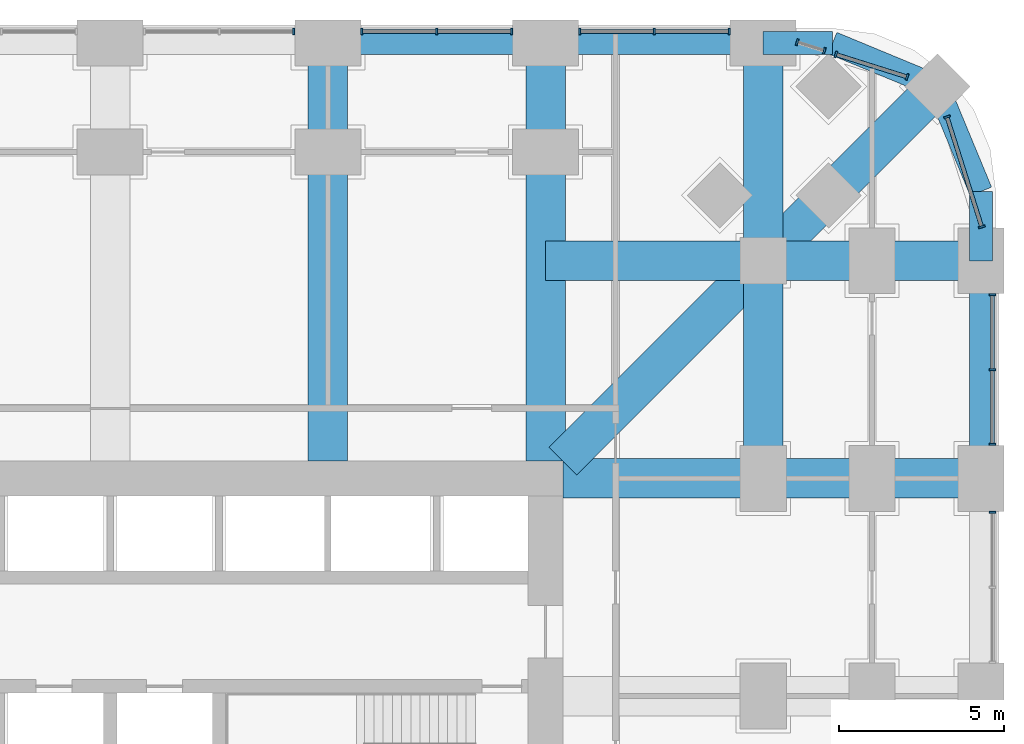
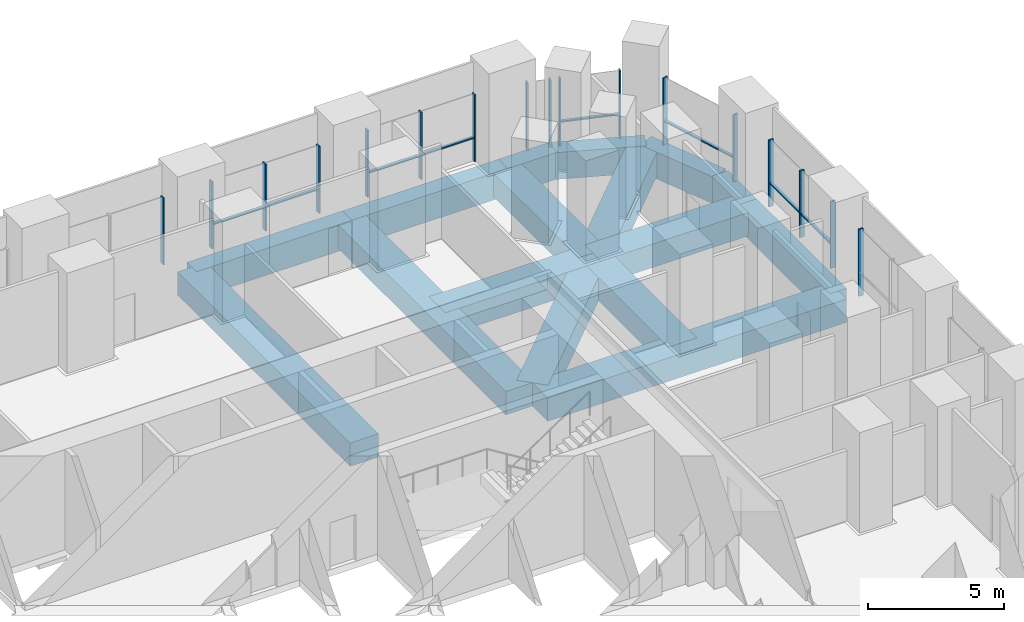
# One storey, part 6 of 17: 25 members, 16 beams, 8 elements without a shape of their own.
"""IFC4 building model written with IfcOpenShell, lengths in metres."""

from ifc_helpers import new_model, si_unit, direction, frame, origin, origin_2d, place, context, subcontext, project, spatial, rectangle, extrude, material, material_profile, profile_set, type_object, element, aggregate, save


model = new_model("IFC4")

# Units and contexts
model_context = context("Model", 3, precision=1e-05, world=origin(), true_north=direction((0.0, 1.0)))
body_context = subcontext(model_context, "Body", "Model", "MODEL_VIEW")
ifc_project = project(units=[si_unit("LENGTHUNIT", "METRE"), si_unit("AREAUNIT", "SQUARE_METRE"), si_unit("VOLUMEUNIT", "CUBIC_METRE"), si_unit("PLANEANGLEUNIT", "RADIAN"), si_unit("MASSUNIT", "GRAM", prefix="KILO")], contexts=[model_context])

# Site, building, storey
site_placement = place(None, origin())
site = spatial("IfcSite", under=ifc_project, at=site_placement, CompositionType="ELEMENT")
building_placement = place(site_placement, origin())
building = spatial("IfcBuilding", under=site, at=building_placement, Name="Cobogo Forest Laboratory Tower", CompositionType="ELEMENT")
storey_placement = place(building_placement, frame((0.0, 0.0, 12.60009765625)))
storey = spatial("IfcBuildingStorey", under=building, at=storey_placement, Name="L02", CompositionType="ELEMENT", Elevation=12.60009765625)

# Beams
ifc_material_1 = material(Name="Concrete HA-40 (C40/50)", Category="concrete")
ifc_material_profile_1 = material_profile(ifc_material_1, rectangle(XDim=1.199951171875, YDim=1.050048828125, at=origin_2d()), Name="RC 1200x1050")
ifc_profile_set_1 = profile_set([ifc_material_profile_1], Name="Concrete HA-40 (C40/50)")
beam_type_1 = type_object("IfcBeamType", Name="Laboratory floor wide beam 1200x1050", PredefinedType="BEAM", material=ifc_profile_set_1)
for number, where, z_axis, x_axis, name in (
    (1, (33.0, 33.52490234375, -0.8251953125), (0.0, 1.0, 0.0), (-1.0, 0.0, 0.0), "RB1 R-6-N L02"),
    (2, (39.60009765625, 33.52490234375, -0.8251953125), (0.0, 1.0, 0.0), (-1.0, 0.0, 0.0), "RB1 R-7-N L02"),
    (3, (40.125, 33.0, -0.8251953125), (1.0, 0.0, 0.0), (0.0, 1.0, 0.0), "RB1 R-F-E L02"),
):
    element("IfcBeam", number, at=place(storey_placement, frame(where, z_axis=z_axis, x_axis=x_axis)), inside=storey, type_object=beam_type_1, Name=name, PredefinedType="BEAM", context=body_context, shape_type="SweptSolid", body=[
        extrude(rectangle(XDim=1.199951171875, YDim=1.050048828125, at=origin_2d()), origin(), (0.0, 0.0, 1.0), 12.675048828125),
    ])
beam_1_placement = place(storey_placement, frame((46.199951171875, 46.199951171875, -0.8251953125), z_axis=(0.0, -1.0, 0.0), x_axis=(1.0, 0.0, 0.0)))
element("IfcBeam", 4, at=beam_1_placement, inside=storey, type_object=beam_type_1, Name="RB1 G-NE-XF L02", PredefinedType="BEAM", context=body_context, shape_type="SweptSolid", body=[
    extrude(rectangle(XDim=1.199951171875, YDim=1.050048828125, at=origin_2d()), origin(), (0.0, 0.0, 1.0), 6.599853515625),
])
for number, where, z_axis, x_axis, name in (
    (5, (46.199951171875, 39.60009765625, -0.8251953125), (0.0, -1.0, 0.0), (1.0, 0.0, 0.0), "RB1 G-NE-XC L02"),
    (6, (52.800048828125, 39.60009765625, -0.8251953125), (-1.0, 0.0, 0.0), (0.0, -1.0, 0.0), "RB1 G-NE-YF L02"),
):
    element("IfcBeam", number, at=place(storey_placement, frame(where, z_axis=z_axis, x_axis=x_axis)), inside=storey, type_object=beam_type_1, Name=name, PredefinedType="BEAM", context=body_context, shape_type="SweptSolid", body=[
        extrude(rectangle(XDim=1.199951171875, YDim=1.050048828125, at=origin_2d()), origin(), (0.0, 0.0, 1.0), 6.60009765625),
    ])
beam_2_placement = place(storey_placement, frame((46.199951171875, 39.60009765625, -0.8251953125), z_axis=(-1.0, 0.0, 0.0), x_axis=(0.0, -1.0, 0.0)))
element("IfcBeam", 7, at=beam_2_placement, inside=storey, type_object=beam_type_1, Name="RB1 G-NE-YC L02", PredefinedType="BEAM", context=body_context, shape_type="SweptSolid", body=[
    extrude(rectangle(XDim=1.199951171875, YDim=1.050048828125, at=origin_2d()), origin(), (0.0, 0.0, 1.0), 6.599853515625),
])
beam_3_placement = place(storey_placement, frame((51.48193359375, 44.882080078125, -0.8251953125), z_axis=(-0.707106781187, -0.707106781187, 0.0), x_axis=(0.707106781187, -0.707106781187, 0.0)))
element("IfcBeam", 8, at=beam_3_placement, inside=storey, type_object=beam_type_1, Name="RB1 G-NE-D1 L02", PredefinedType="BEAM", context=body_context, shape_type="SweptSolid", body=[
    extrude(rectangle(XDim=1.199951171875, YDim=1.050048828125, at=origin_2d()), origin(), (0.0, 0.0, 1.0), 7.469970703125),
])
beam_4_placement = place(storey_placement, frame((46.199951171875, 39.60009765625, -0.8251953125), z_axis=(-0.707092572697, -0.70712098939, 0.0), x_axis=(0.70712098939, -0.707092572697, 0.0)))
element("IfcBeam", 9, at=beam_4_placement, inside=storey, type_object=beam_type_1, Name="RB1 G-NE-D2 L02", PredefinedType="BEAM", context=body_context, shape_type="SweptSolid", body=[
    extrude(rectangle(XDim=1.199951171875, YDim=1.050048828125, at=origin_2d()), origin(), (0.0, 0.0, 1.0), 8.591552734375),
])

# Curtain wall, member
ifc_material_2 = material(Name="Aluminium curtain wall", Category="aluminium")
curtain_wall_type = type_object("IfcCurtainWallType", Name="CW-K stick curtain wall, podium laboratories", PredefinedType="USERDEFINED", material=ifc_material_2)
curtain_wall_1_placement = place(storey_placement, origin())
curtain_wall_1 = element("IfcCurtainWall", 10, at=curtain_wall_1_placement, inside=storey, type_object=curtain_wall_type, Name="Curtain wall 13 L02", ObjectType="STICK CURTAIN WALL", PredefinedType="USERDEFINED")
ifc_material_3 = material(Name="Aluminium mullion", Category="aluminium")
ifc_material_profile_2 = material_profile(ifc_material_3, rectangle(XDim=0.06005859375, YDim=0.199951171875, at=origin_2d()), Name="AL 60x200")
ifc_profile_set_2 = profile_set([ifc_material_profile_2], Name="Aluminium mullion")
member_type_1 = type_object("IfcMemberType", Name="MU-2 aluminium mullion 60x200", PredefinedType="MULLION", material=ifc_profile_set_2)
member_1_placement = place(storey_placement, frame((53.14990234375, 31.969970703125, 0.0), z_axis=(0.0, 0.0, 1.0), x_axis=(0.0, 1.0, 0.0)))
member_1 = element("IfcMember", 11, at=member_1_placement, type_object=member_type_1, Name="CW-K mullion 3", PredefinedType="MULLION", context=body_context, shape_type="SweptSolid", body=[
    extrude(rectangle(XDim=0.06005859375, YDim=0.199951171875, at=origin_2d()), origin(), (0.0, 0.0, 1.0), 3.0),
])
aggregate(curtain_wall_1, [member_1])

# Curtain wall, members
curtain_wall_2_placement = place(storey_placement, origin())
curtain_wall_2 = element("IfcCurtainWall", 12, at=curtain_wall_2_placement, inside=storey, type_object=curtain_wall_type, Name="Curtain wall 14 L02", ObjectType="STICK CURTAIN WALL", PredefinedType="USERDEFINED")
member_2_placement = place(storey_placement, frame((53.14990234375, 34.030029296875, 0.0), z_axis=(0.0, 0.0, 1.0), x_axis=(0.0, 1.0, 0.0)))
member_2 = element("IfcMember", 13, at=member_2_placement, type_object=member_type_1, Name="CW-K mullion 1", PredefinedType="MULLION", context=body_context, shape_type="SweptSolid", body=[
    extrude(rectangle(XDim=0.06005859375, YDim=0.199951171875, at=origin_2d()), origin(), (0.0, 0.0, 1.0), 3.0),
])
member_3_placement = place(storey_placement, frame((53.14990234375, 36.300048828125, 0.0), z_axis=(0.0, 0.0, 1.0), x_axis=(0.0, 1.0, 0.0)))
member_3 = element("IfcMember", 14, at=member_3_placement, type_object=member_type_1, Name="CW-K mullion 2", PredefinedType="MULLION", context=body_context, shape_type="SweptSolid", body=[
    extrude(rectangle(XDim=0.06005859375, YDim=0.199951171875, at=origin_2d()), origin(), (0.0, 0.0, 1.0), 3.0),
])
member_4_placement = place(storey_placement, frame((53.14990234375, 38.570068359375, 0.0), z_axis=(0.0, 0.0, 1.0), x_axis=(0.0, 1.0, 0.0)))
member_4 = element("IfcMember", 15, at=member_4_placement, type_object=member_type_1, Name="CW-K mullion 3", PredefinedType="MULLION", context=body_context, shape_type="SweptSolid", body=[
    extrude(rectangle(XDim=0.06005859375, YDim=0.199951171875, at=origin_2d()), origin(), (0.0, 0.0, 1.0), 3.0),
])

curtain_wall_3_placement = place(storey_placement, origin())
curtain_wall_3 = element("IfcCurtainWall", 16, at=curtain_wall_3_placement, inside=storey, type_object=curtain_wall_type, Name="Curtain wall 15 L02", ObjectType="STICK CURTAIN WALL", PredefinedType="USERDEFINED")
member_5_placement = place(storey_placement, frame((52.8251953125, 40.628662109375, 0.0), z_axis=(0.0, 0.0, 1.0), x_axis=(-0.301135433696, 0.953581381201, 0.0)))
member_5 = element("IfcMember", 17, at=member_5_placement, type_object=member_type_1, Name="CW-K mullion 1", PredefinedType="MULLION", context=body_context, shape_type="SweptSolid", body=[
    extrude(rectangle(XDim=0.06005859375, YDim=0.199951171875, at=origin_2d()), origin(), (0.0, 0.0, 1.0), 3.0),
])
member_6_placement = place(storey_placement, frame((51.772705078125, 43.961181640625, 0.0), z_axis=(0.0, 0.0, 1.0), x_axis=(-0.301135433696, 0.953581381201, 0.0)))
member_6 = element("IfcMember", 18, at=member_6_placement, type_object=member_type_1, Name="CW-K mullion 2", PredefinedType="MULLION", context=body_context, shape_type="SweptSolid", body=[
    extrude(rectangle(XDim=0.06005859375, YDim=0.199951171875, at=origin_2d()), origin(), (0.0, 0.0, 1.0), 3.0),
])

curtain_wall_4_placement = place(storey_placement, origin())
curtain_wall_4 = element("IfcCurtainWall", 19, at=curtain_wall_4_placement, inside=storey, type_object=curtain_wall_type, Name="Curtain wall 16 L02", ObjectType="STICK CURTAIN WALL", PredefinedType="USERDEFINED")
member_7_placement = place(storey_placement, frame((50.561279296875, 45.1728515625, 0.0), z_axis=(0.0, 0.0, 1.0), x_axis=(-0.953581409645, 0.301135343623, 0.0)))
member_7 = element("IfcMember", 20, at=member_7_placement, type_object=member_type_1, Name="CW-K mullion 1", PredefinedType="MULLION", context=body_context, shape_type="SweptSolid", body=[
    extrude(rectangle(XDim=0.06005859375, YDim=0.199951171875, at=origin_2d()), origin(), (0.0, 0.0, 1.0), 3.0),
])
member_8_placement = place(storey_placement, frame((48.403076171875, 45.854248046875, 0.0), z_axis=(0.0, 0.0, 1.0), x_axis=(-0.953581409645, 0.301135343623, 0.0)))
member_8 = element("IfcMember", 21, at=member_8_placement, type_object=member_type_1, Name="CW-K mullion 2", PredefinedType="MULLION", context=body_context, shape_type="SweptSolid", body=[
    extrude(rectangle(XDim=0.06005859375, YDim=0.199951171875, at=origin_2d()), origin(), (0.0, 0.0, 1.0), 3.0),
])

curtain_wall_5_placement = place(storey_placement, origin())
curtain_wall_5 = element("IfcCurtainWall", 22, at=curtain_wall_5_placement, inside=storey, type_object=curtain_wall_type, Name="Curtain wall 17 L02", ObjectType="STICK CURTAIN WALL", PredefinedType="USERDEFINED")
member_9_placement = place(storey_placement, frame((48.05322265625, 45.96484375, 0.0), z_axis=(0.0, 0.0, 1.0), x_axis=(-0.953581406818, 0.301135352577, 0.0)))
member_9 = element("IfcMember", 23, at=member_9_placement, type_object=member_type_1, Name="CW-K mullion 1", PredefinedType="MULLION", context=body_context, shape_type="SweptSolid", body=[
    extrude(rectangle(XDim=0.06005859375, YDim=0.199951171875, at=origin_2d()), origin(), (0.0, 0.0, 1.0), 3.0),
])
member_10_placement = place(storey_placement, frame((47.228515625, 46.22509765625, 0.0), z_axis=(0.0, 0.0, 1.0), x_axis=(-0.953581406818, 0.301135352577, 0.0)))
member_10 = element("IfcMember", 24, at=member_10_placement, type_object=member_type_1, Name="CW-K mullion 2", PredefinedType="MULLION", context=body_context, shape_type="SweptSolid", body=[
    extrude(rectangle(XDim=0.06005859375, YDim=0.199951171875, at=origin_2d()), origin(), (0.0, 0.0, 1.0), 3.0),
])
aggregate(curtain_wall_5, [member_9, member_10])

curtain_wall_6_placement = place(storey_placement, origin())
curtain_wall_6 = element("IfcCurtainWall", 25, at=curtain_wall_6_placement, inside=storey, type_object=curtain_wall_type, Name="Curtain wall 18 L02", ObjectType="STICK CURTAIN WALL", PredefinedType="USERDEFINED")
member_11_placement = place(storey_placement, frame((45.169921875, 46.550048828125, 0.0), z_axis=(0.0, 0.0, 1.0), x_axis=(-1.0, 0.0, 0.0)))
member_11 = element("IfcMember", 26, at=member_11_placement, type_object=member_type_1, Name="CW-K mullion 1", PredefinedType="MULLION", context=body_context, shape_type="SweptSolid", body=[
    extrude(rectangle(XDim=0.06005859375, YDim=0.199951171875, at=origin_2d()), origin(), (0.0, 0.0, 1.0), 3.0),
])
member_12_placement = place(storey_placement, frame((42.89990234375, 46.550048828125, 0.0), z_axis=(0.0, 0.0, 1.0), x_axis=(-1.0, 0.0, 0.0)))
member_12 = element("IfcMember", 27, at=member_12_placement, type_object=member_type_1, Name="CW-K mullion 2", PredefinedType="MULLION", context=body_context, shape_type="SweptSolid", body=[
    extrude(rectangle(XDim=0.06005859375, YDim=0.199951171875, at=origin_2d()), origin(), (0.0, 0.0, 1.0), 3.0),
])
member_13_placement = place(storey_placement, frame((40.6298828125, 46.550048828125, 0.0), z_axis=(0.0, 0.0, 1.0), x_axis=(-1.0, 0.0, 0.0)))
member_13 = element("IfcMember", 28, at=member_13_placement, type_object=member_type_1, Name="CW-K mullion 3", PredefinedType="MULLION", context=body_context, shape_type="SweptSolid", body=[
    extrude(rectangle(XDim=0.06005859375, YDim=0.199951171875, at=origin_2d()), origin(), (0.0, 0.0, 1.0), 3.0),
])

curtain_wall_7_placement = place(storey_placement, origin())
curtain_wall_7 = element("IfcCurtainWall", 29, at=curtain_wall_7_placement, inside=storey, type_object=curtain_wall_type, Name="Curtain wall 19 L02", ObjectType="STICK CURTAIN WALL", PredefinedType="USERDEFINED")
member_14_placement = place(storey_placement, frame((38.570068359375, 46.550048828125, 0.0), z_axis=(0.0, 0.0, 1.0), x_axis=(-1.0, 0.0, 0.0)))
member_14 = element("IfcMember", 30, at=member_14_placement, type_object=member_type_1, Name="CW-K mullion 1", PredefinedType="MULLION", context=body_context, shape_type="SweptSolid", body=[
    extrude(rectangle(XDim=0.06005859375, YDim=0.199951171875, at=origin_2d()), origin(), (0.0, 0.0, 1.0), 3.0),
])
member_15_placement = place(storey_placement, frame((36.300048828125, 46.550048828125, 0.0), z_axis=(0.0, 0.0, 1.0), x_axis=(-1.0, 0.0, 0.0)))
member_15 = element("IfcMember", 31, at=member_15_placement, type_object=member_type_1, Name="CW-K mullion 2", PredefinedType="MULLION", context=body_context, shape_type="SweptSolid", body=[
    extrude(rectangle(XDim=0.06005859375, YDim=0.199951171875, at=origin_2d()), origin(), (0.0, 0.0, 1.0), 3.0),
])
member_16_placement = place(storey_placement, frame((34.030029296875, 46.550048828125, 0.0), z_axis=(0.0, 0.0, 1.0), x_axis=(-1.0, 0.0, 0.0)))
member_16 = element("IfcMember", 32, at=member_16_placement, type_object=member_type_1, Name="CW-K mullion 3", PredefinedType="MULLION", context=body_context, shape_type="SweptSolid", body=[
    extrude(rectangle(XDim=0.06005859375, YDim=0.199951171875, at=origin_2d()), origin(), (0.0, 0.0, 1.0), 3.0),
])

# Curtain wall, member
curtain_wall_8_placement = place(storey_placement, origin())
curtain_wall_8 = element("IfcCurtainWall", 33, at=curtain_wall_8_placement, inside=storey, type_object=curtain_wall_type, Name="Curtain wall 20 L02", ObjectType="STICK CURTAIN WALL", PredefinedType="USERDEFINED")
member_17_placement = place(storey_placement, frame((31.969970703125, 46.550048828125, 0.0), z_axis=(0.0, 0.0, 1.0), x_axis=(-1.0, 0.0, 0.0)))
member_17 = element("IfcMember", 34, at=member_17_placement, type_object=member_type_1, Name="CW-K mullion 1", PredefinedType="MULLION", context=body_context, shape_type="SweptSolid", body=[
    extrude(rectangle(XDim=0.06005859375, YDim=0.199951171875, at=origin_2d()), origin(), (0.0, 0.0, 1.0), 3.0),
])
aggregate(curtain_wall_8, [member_17])

# Beams
ifc_material_profile_3 = material_profile(ifc_material_1, rectangle(XDim=0.699951171875, YDim=1.199951171875, at=origin_2d()), Name="RC 700x1200")
ifc_profile_set_3 = profile_set([ifc_material_profile_3], Name="Concrete HA-40 (C40/50)")
beam_type_2 = type_object("IfcBeamType", Name="Perimeter edge beam 700x1200", PredefinedType="BEAM", material=ifc_profile_set_3)
for number, where, z_axis, x_axis, name in (
    (35, (52.800048828125, 33.0, -0.900146484375), (0.0, 1.0, 0.0), (-1.0, 0.0, 0.0), "EB1 E-E5 L02"),
    (36, (33.0, 46.199951171875, -0.900146484375), (1.0, 0.0, 0.0), (0.0, 1.0, 0.0), "EB1 E-N5 L02"),
):
    element("IfcBeam", number, at=place(storey_placement, frame(where, z_axis=z_axis, x_axis=x_axis)), inside=storey, type_object=beam_type_2, Name=name, PredefinedType="BEAM", context=body_context, shape_type="SweptSolid", body=[
        extrude(rectangle(XDim=0.699951171875, YDim=1.199951171875, at=origin_2d()), origin(), (0.0, 0.0, 1.0), 6.60009765625),
    ])
beam_5_placement = place(storey_placement, frame((39.60009765625, 46.199951171875, -0.900146484375), z_axis=(1.0, 0.0, 0.0), x_axis=(0.0, 1.0, 0.0)))
element("IfcBeam", 37, at=beam_5_placement, inside=storey, type_object=beam_type_2, Name="EB1 E-N6 L02", PredefinedType="BEAM", context=body_context, shape_type="SweptSolid", body=[
    extrude(rectangle(XDim=0.699951171875, YDim=1.199951171875, at=origin_2d()), origin(), (0.0, 0.0, 1.0), 6.599853515625),
])
beam_6_placement = place(storey_placement, frame((52.800048828125, 39.60009765625, -0.900146484375), z_axis=(0.0, 1.0, 0.0), x_axis=(-1.0, 0.0, 0.0)))
element("IfcBeam", 38, at=beam_6_placement, inside=storey, type_object=beam_type_2, Name="EB1 E-NEE1 L02", PredefinedType="BEAM", context=body_context, shape_type="SweptSolid", body=[
    extrude(rectangle(XDim=0.699951171875, YDim=1.199951171875, at=origin_2d()), origin(), (0.0, 0.0, 1.0), 2.099853515625),
])
beam_7_placement = place(storey_placement, frame((52.800048828125, 41.699951171875, -0.900146484375), z_axis=(-0.382691928466, 0.923876013265, 0.0), x_axis=(-0.923876013265, -0.382691928466, 0.0)))
element("IfcBeam", 39, at=beam_7_placement, inside=storey, type_object=beam_type_2, Name="EB1 E-NEE2 L02", PredefinedType="BEAM", context=body_context, shape_type="SweptSolid", body=[
    extrude(rectangle(XDim=0.699951171875, YDim=1.199951171875, at=origin_2d()), origin(), (0.0, 0.0, 1.0), 3.4443359375),
])
beam_8_placement = place(storey_placement, frame((46.199951171875, 46.199951171875, -0.900146484375), z_axis=(1.0, 0.0, 0.0), x_axis=(0.0, 1.0, 0.0)))
element("IfcBeam", 40, at=beam_8_placement, inside=storey, type_object=beam_type_2, Name="EB1 E-NEN1 L02", PredefinedType="BEAM", context=body_context, shape_type="SweptSolid", body=[
    extrude(rectangle(XDim=0.699951171875, YDim=1.199951171875, at=origin_2d()), origin(), (0.0, 0.0, 1.0), 2.10009765625),
])
beam_9_placement = place(storey_placement, frame((48.300048828125, 46.199951171875, -0.900146484375), z_axis=(0.923890694089, -0.382656484822, 0.0), x_axis=(0.382656484822, 0.923890694089, 0.0)))
element("IfcBeam", 41, at=beam_9_placement, inside=storey, type_object=beam_type_2, Name="EB1 E-NEN2 L02", PredefinedType="BEAM", context=body_context, shape_type="SweptSolid", body=[
    extrude(rectangle(XDim=0.699951171875, YDim=1.199951171875, at=origin_2d()), origin(), (0.0, 0.0, 1.0), 3.444091796875),
])

# Member
ifc_material_4 = material(Name="Aluminium transom", Category="aluminium")
ifc_material_profile_4 = material_profile(ifc_material_4, rectangle(XDim=0.1201171875, YDim=0.06005859375, at=origin_2d()), Name="AL 60x120")
ifc_profile_set_4 = profile_set([ifc_material_profile_4], Name="Aluminium transom")
member_type_2 = type_object("IfcMemberType", Name="TR-1 aluminium transom 60x120", PredefinedType="USERDEFINED", material=ifc_profile_set_4)
member_18_placement = place(storey_placement, frame((53.14990234375, 34.06005859375, 1.0498046875), z_axis=(0.0, 1.0, 0.0), x_axis=(-1.0, 0.0, 0.0)))
member_18 = element("IfcMember", 42, at=member_18_placement, type_object=member_type_2, Name="CW-K transom 1.1", ObjectType="TRANSOM", PredefinedType="USERDEFINED", context=body_context, shape_type="SweptSolid", body=[
    extrude(rectangle(XDim=0.1201171875, YDim=0.06005859375, at=origin_2d()), origin(), (0.0, 0.0, 1.0), 2.2099609375),
])

member_19_placement = place(storey_placement, frame((53.14990234375, 36.330078125, 1.0498046875), z_axis=(0.0, 1.0, 0.0), x_axis=(-1.0, 0.0, 0.0)))
member_19 = element("IfcMember", 43, at=member_19_placement, type_object=member_type_2, Name="CW-K transom 2.1", ObjectType="TRANSOM", PredefinedType="USERDEFINED", context=body_context, shape_type="SweptSolid", body=[
    extrude(rectangle(XDim=0.1201171875, YDim=0.06005859375, at=origin_2d()), origin(), (0.0, 0.0, 1.0), 2.2099609375),
])

aggregate(curtain_wall_2, [member_2, member_3, member_4, member_18, member_19])

member_20_placement = place(storey_placement, frame((52.816162109375, 40.6572265625, 1.0498046875), z_axis=(-0.301155179686, 0.953575145308, 0.0), x_axis=(-0.953575145308, -0.301155179686, 0.0)))
member_20 = element("IfcMember", 44, at=member_20_placement, type_object=member_type_2, Name="CW-K transom 1.1", ObjectType="TRANSOM", PredefinedType="USERDEFINED", context=body_context, shape_type="SweptSolid", body=[
    extrude(rectangle(XDim=0.1201171875, YDim=0.06005859375, at=origin_2d()), origin(), (0.0, 0.0, 1.0), 3.434814453125),
])

aggregate(curtain_wall_3, [member_5, member_6, member_20])

member_21_placement = place(storey_placement, frame((50.53271484375, 45.181884765625, 1.0498046875), z_axis=(-0.953604433273, 0.301062426819, 0.0), x_axis=(-0.301062426819, -0.953604433273, 0.0)))
member_21 = element("IfcMember", 45, at=member_21_placement, type_object=member_type_2, Name="CW-K transom 1.1", ObjectType="TRANSOM", PredefinedType="USERDEFINED", context=body_context, shape_type="SweptSolid", body=[
    extrude(rectangle(XDim=0.1201171875, YDim=0.06005859375, at=origin_2d()), origin(), (0.0, 0.0, 1.0), 2.203369140625),
])

aggregate(curtain_wall_4, [member_7, member_8, member_21])

member_22_placement = place(storey_placement, frame((45.139892578125, 46.550048828125, 1.0498046875), z_axis=(-1.0, 0.0, 0.0), x_axis=(0.0, -1.0, 0.0)))
member_22 = element("IfcMember", 46, at=member_22_placement, type_object=member_type_2, Name="CW-K transom 1.1", ObjectType="TRANSOM", PredefinedType="USERDEFINED", context=body_context, shape_type="SweptSolid", body=[
    extrude(rectangle(XDim=0.1201171875, YDim=0.06005859375, at=origin_2d()), origin(), (0.0, 0.0, 1.0), 2.2099609375),
])

member_23_placement = place(storey_placement, frame((42.8701171875, 46.550048828125, 1.0498046875), z_axis=(-1.0, 0.0, 0.0), x_axis=(0.0, -1.0, 0.0)))
member_23 = element("IfcMember", 47, at=member_23_placement, type_object=member_type_2, Name="CW-K transom 2.1", ObjectType="TRANSOM", PredefinedType="USERDEFINED", context=body_context, shape_type="SweptSolid", body=[
    extrude(rectangle(XDim=0.1201171875, YDim=0.06005859375, at=origin_2d()), origin(), (0.0, 0.0, 1.0), 2.210205078125),
])

aggregate(curtain_wall_6, [member_11, member_12, member_13, member_22, member_23])

member_24_placement = place(storey_placement, frame((38.5400390625, 46.550048828125, 1.0498046875), z_axis=(-1.0, 0.0, 0.0), x_axis=(0.0, -1.0, 0.0)))
member_24 = element("IfcMember", 48, at=member_24_placement, type_object=member_type_2, Name="CW-K transom 1.1", ObjectType="TRANSOM", PredefinedType="USERDEFINED", context=body_context, shape_type="SweptSolid", body=[
    extrude(rectangle(XDim=0.1201171875, YDim=0.06005859375, at=origin_2d()), origin(), (0.0, 0.0, 1.0), 2.2099609375),
])

member_25_placement = place(storey_placement, frame((36.27001953125, 46.550048828125, 1.0498046875), z_axis=(-1.0, 0.0, 0.0), x_axis=(0.0, -1.0, 0.0)))
member_25 = element("IfcMember", 49, at=member_25_placement, type_object=member_type_2, Name="CW-K transom 2.1", ObjectType="TRANSOM", PredefinedType="USERDEFINED", context=body_context, shape_type="SweptSolid", body=[
    extrude(rectangle(XDim=0.1201171875, YDim=0.06005859375, at=origin_2d()), origin(), (0.0, 0.0, 1.0), 2.2099609375),
])

aggregate(curtain_wall_7, [member_14, member_15, member_16, member_24, member_25])

save(model, "model.ifc")
